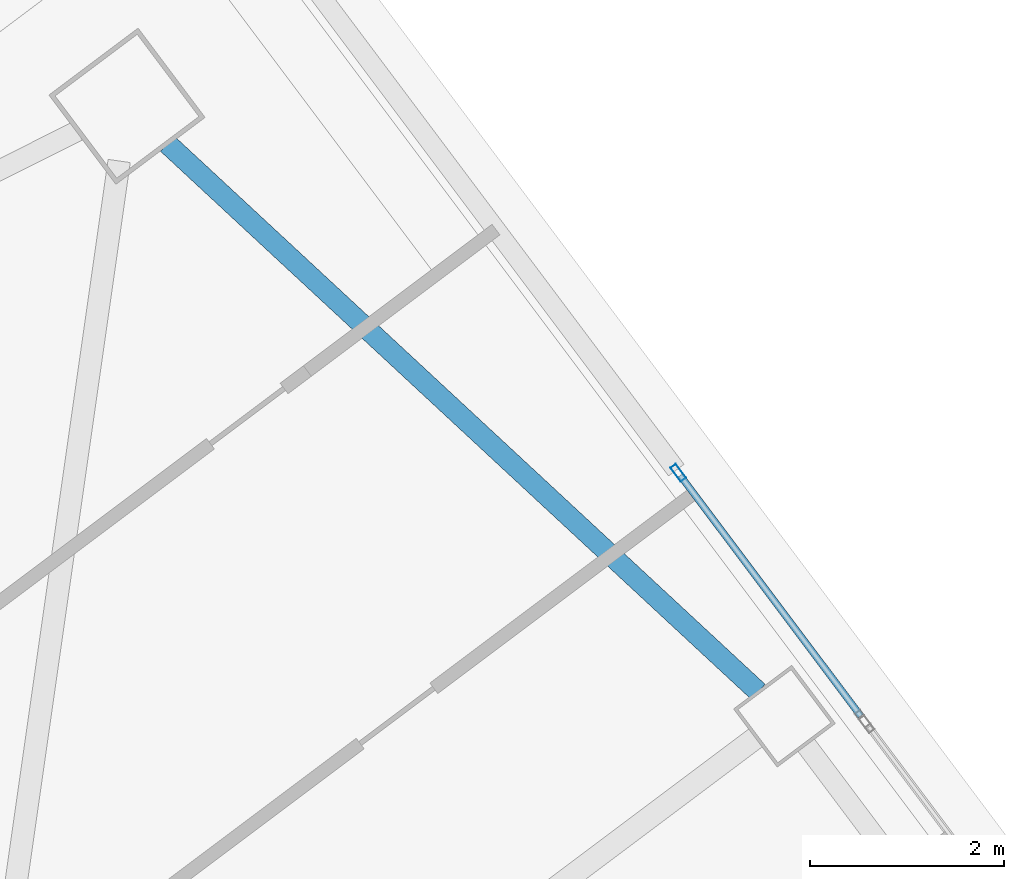
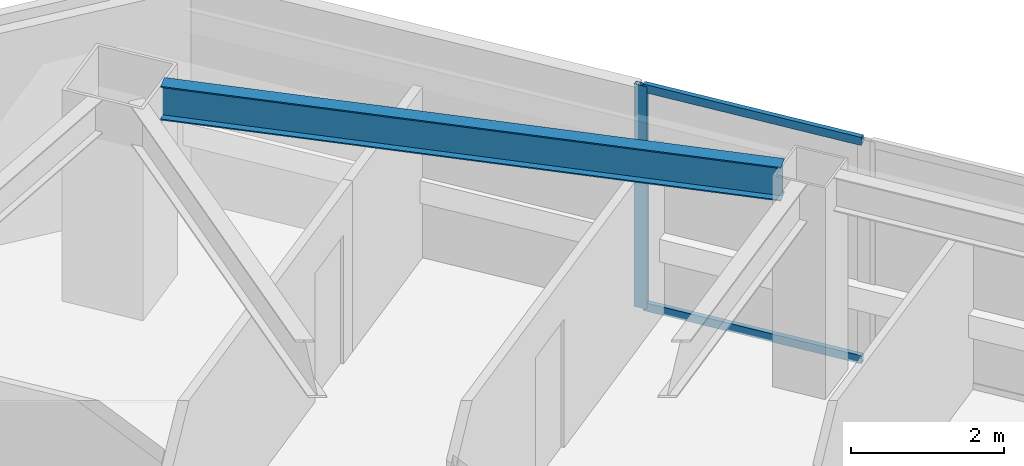
# One storey, part 30 of 42: 3 members, 1 beam, 1 element without a shape of its own.
"""IFC4 building model written with IfcOpenShell, lengths in metres."""

from ifc_helpers import new_model, si_unit, direction, frame, origin, origin_2d, place, context, subcontext, project, spatial, hollow_rectangle, i_section, extrude, material, material_profile, profile_set, type_object, element, aggregate, save


model = new_model("IFC4")

# Units and contexts
model_context = context("Model", 3, precision=1e-05, world=origin(), true_north=direction((0.0, 1.0)))
body_context = subcontext(model_context, "Body", "Model", "MODEL_VIEW")
ifc_project = project(units=[si_unit("LENGTHUNIT", "METRE"), si_unit("AREAUNIT", "SQUARE_METRE"), si_unit("VOLUMEUNIT", "CUBIC_METRE"), si_unit("PLANEANGLEUNIT", "RADIAN"), si_unit("MASSUNIT", "GRAM", prefix="KILO")], contexts=[model_context])

# Site, building, storey
site_placement = place(None, origin())
site = spatial("IfcSite", under=ifc_project, at=site_placement, CompositionType="ELEMENT")
building_placement = place(site_placement, origin())
building = spatial("IfcBuilding", under=site, at=building_placement, Name="Tashvorn Skyway Center", CompositionType="ELEMENT")
storey_placement = place(building_placement, frame((0.0, 0.0, 164.10009765625)))
storey = spatial("IfcBuildingStorey", under=building, at=storey_placement, Name="L44", CompositionType="ELEMENT", Elevation=164.10009765625)

# Beam
ifc_material_1 = material(Name="Steel ASTM A992 Grade 50", Category="steel")
ifc_material_profile_1 = material_profile(ifc_material_1, i_section(OverallWidth=0.2109375, OverallDepth=0.5390625, WebThickness=0.01171875, FlangeThickness=0.018798828125, at=origin_2d()), Name="W21X73")
ifc_profile_set_1 = profile_set([ifc_material_profile_1], Name="Steel ASTM A992 Grade 50")
beam_type = type_object("IfcBeamType", Name="BM-SPANDREL-W21X73", PredefinedType="SPANDREL", material=ifc_profile_set_1)
beam_placement = place(storey_placement, frame((123.40869140625, 46.26171875, 3.100341796875), z_axis=(-0.733101115618, 0.680119661736, 0.0), x_axis=(-0.680119661736, -0.733101115618, 0.0)))
element("IfcBeam", 1, at=beam_placement, inside=storey, type_object=beam_type, Name="Tower 2 L44 Spandrel Beam 06", PredefinedType="SPANDREL", context=body_context, shape_type="SweptSolid", body=[
    extrude(i_section(OverallWidth=0.2109375, OverallDepth=0.5390625, WebThickness=0.01171875, FlangeThickness=0.018798828125, at=origin_2d()), origin(), (0.0, 0.0, 1.0), 8.308349609375),
])

# Curtain wall, members
ifc_material_2 = material(Name="Thermally broken bronze-anodized aluminium 6063-T6", Category="aluminium")
curtain_wall_type = type_object("IfcCurtainWallType", Name="CW-CW-Z4", PredefinedType="NOTDEFINED", material=ifc_material_2)
curtain_wall_placement = place(storey_placement, origin())
curtain_wall = element("IfcCurtainWall", 2, at=curtain_wall_placement, inside=storey, type_object=curtain_wall_type, Name="Tower 2 L44 East Unitised Curtain Wall Glazing Group 1", PredefinedType="NOTDEFINED")
ifc_material_profile_2 = material_profile(ifc_material_2, hollow_rectangle(XDim=0.070068359375, YDim=0.179931640625, WallThickness=0.00390625, at=origin_2d()), Name="ALU-MULL-70x180")
ifc_profile_set_2 = profile_set([ifc_material_profile_2], Name="Thermally broken bronze-anodized aluminium 6063-T6")
member_type_1 = type_object("IfcMemberType", Name="CWM-CW-Z4", PredefinedType="MULLION", material=ifc_profile_set_2)
member_1_placement = place(storey_placement, frame((122.5849609375, 48.52001953125, 0.0), z_axis=(0.0, 0.0, 1.0), x_axis=(0.799999999998, 0.600000000002, 0.0)))
member_1 = element("IfcMember", 3, at=member_1_placement, type_object=member_type_1, Name="CW-Z4 mullion 1", PredefinedType="MULLION", context=body_context, shape_type="SweptSolid", body=[
    extrude(hollow_rectangle(XDim=0.070068359375, YDim=0.179931640625, WallThickness=0.00390625, at=origin_2d()), origin(), (0.0, 0.0, 1.0), 3.5498046875),
])
ifc_material_profile_3 = material_profile(ifc_material_2, hollow_rectangle(XDim=0.070068359375, YDim=0.1298828125, WallThickness=0.00390625, at=origin_2d()), Name="ALU-TRAN-70x130")
ifc_profile_set_3 = profile_set([ifc_material_profile_3], Name="Thermally broken bronze-anodized aluminium 6063-T6")
member_type_2 = type_object("IfcMemberType", Name="CWT-CW-Z4", PredefinedType="USERDEFINED", material=ifc_profile_set_3)
member_2_placement = place(storey_placement, frame((122.60595703125, 48.491943359375, 0.034912109375), z_axis=(0.600025200918, -0.799981098691, 0.0), x_axis=(0.799981098691, 0.600025200918, 0.0)))
member_2 = element("IfcMember", 4, at=member_2_placement, type_object=member_type_2, Name="CW-Z4 transom 1.1", ObjectType="TRANSOM", PredefinedType="USERDEFINED", context=body_context, shape_type="SweptSolid", body=[
    extrude(hollow_rectangle(XDim=0.070068359375, YDim=0.1298828125, WallThickness=0.00390625, at=origin_2d()), origin(), (0.0, 0.0, 1.0), 3.10009765625),
])
member_3_placement = place(storey_placement, frame((122.60595703125, 48.491943359375, 3.514892578125), z_axis=(0.600025200918, -0.799981098691, 0.0), x_axis=(0.799981098691, 0.600025200918, 0.0)))
member_3 = element("IfcMember", 5, at=member_3_placement, type_object=member_type_2, Name="CW-Z4 transom 1.2", ObjectType="TRANSOM", PredefinedType="USERDEFINED", context=body_context, shape_type="SweptSolid", body=[
    extrude(hollow_rectangle(XDim=0.070068359375, YDim=0.1298828125, WallThickness=0.00390625, at=origin_2d()), origin(), (0.0, 0.0, 1.0), 3.10009765625),
])
aggregate(curtain_wall, [member_1, member_2, member_3])

save(model, "model.ifc")
